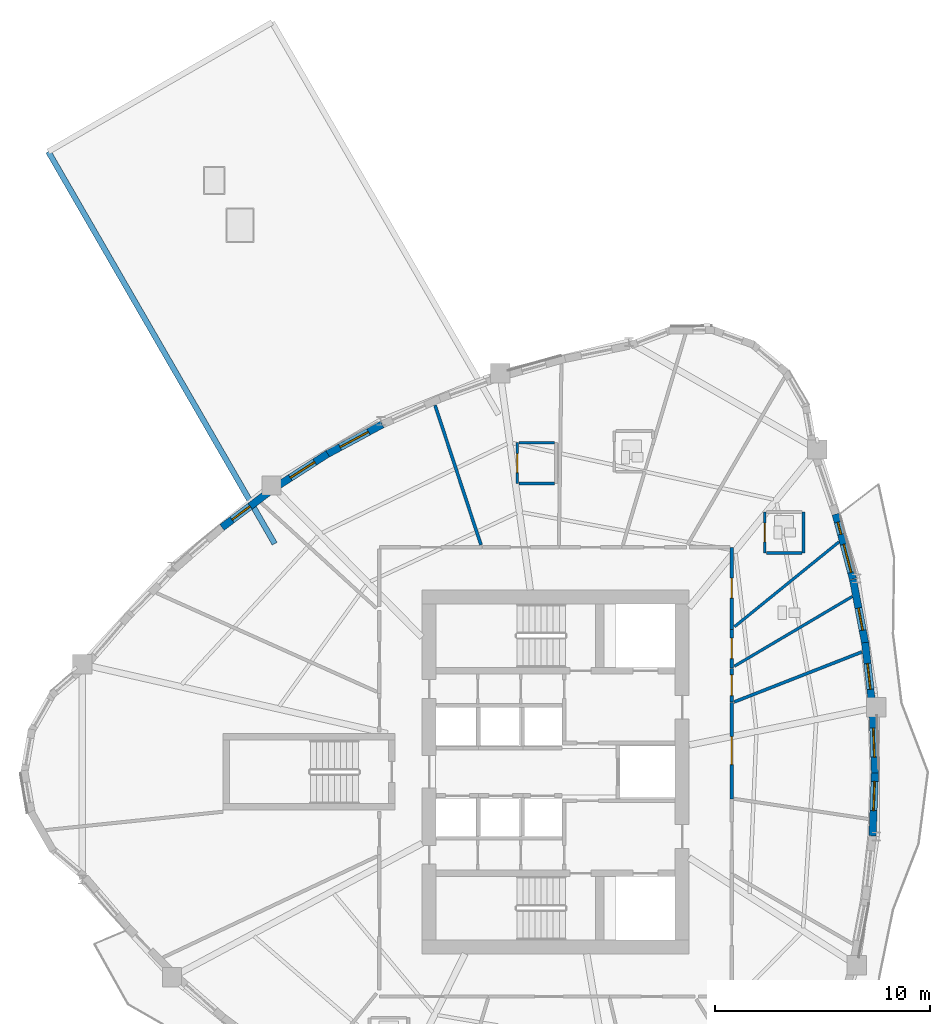
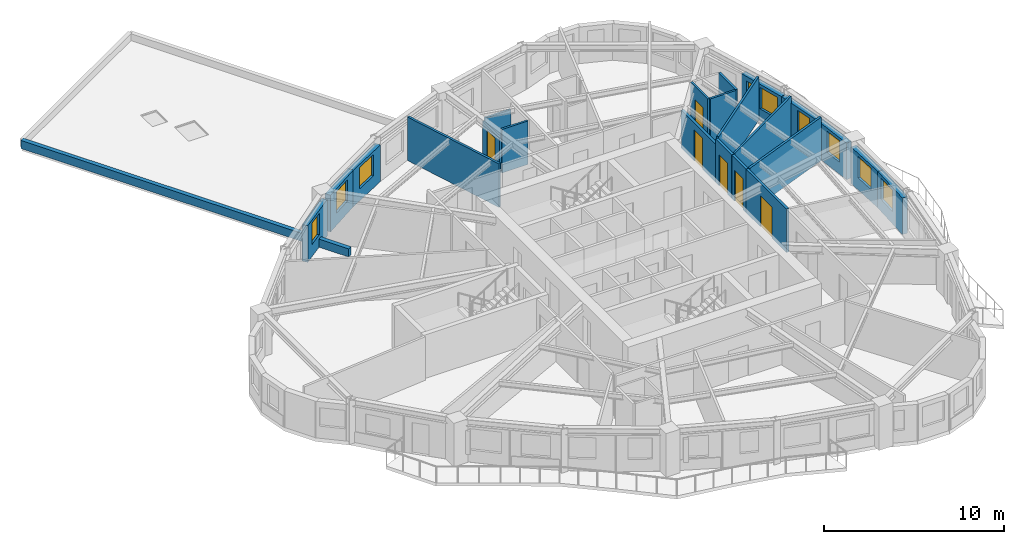
# One storey, part 7 of 13: 23 walls, 9 windows, 6 doors, 15 openings.
"""IFC4 building model written with IfcOpenShell, lengths in metres."""

from ifc_helpers import new_model, si_unit, direction, frame, frame_2d, origin, place, context, subcontext, project, spatial, rectangle, extrude, source, transform, mapped, material, layer, layer_set, type_object, element, fill, save


model = new_model("IFC4")

# Units and contexts
model_context = context("Model", 3, precision=1e-05, world=origin(), true_north=direction((0.0, 1.0)))
body_context = subcontext(model_context, "Body", "Model", "MODEL_VIEW")
ifc_project = project(units=[si_unit("LENGTHUNIT", "METRE"), si_unit("AREAUNIT", "SQUARE_METRE"), si_unit("VOLUMEUNIT", "CUBIC_METRE"), si_unit("PLANEANGLEUNIT", "RADIAN"), si_unit("MASSUNIT", "GRAM", prefix="KILO")], contexts=[model_context])

# Site, building, storey
site_placement = place(None, origin())
site = spatial("IfcSite", under=ifc_project, at=site_placement, CompositionType="ELEMENT")
building_placement = place(site_placement, origin())
building = spatial("IfcBuilding", under=site, at=building_placement, Name="Qafzar Sky-Pleat Residences", CompositionType="ELEMENT")
storey_placement = place(building_placement, frame((0.0, 0.0, 89.60009765625)))
storey = spatial("IfcBuildingStorey", under=building, at=storey_placement, Name="L26", CompositionType="ELEMENT", Elevation=89.60009765625)

# Wall, opening, door
ifc_material_1 = material(Name="Acoustic gypsum plasterboard partition", Category="gypsum")
ifc_layer_1 = layer(ifc_material_1, 0.159912109375)
ifc_layer_set_1 = layer_set([ifc_layer_1], Name="Acoustic gypsum plasterboard partition")
wall_type_1 = type_object("IfcWallType", Name="PART-COR-160", PredefinedType="PARTITIONING", material=ifc_layer_set_1)
wall_1_placement = place(storey_placement, frame((38.530029296875, 29.219970703125, 0.0), z_axis=(0.0, 0.0, 1.0), x_axis=(0.0, -1.0, 0.0)))
wall_1 = element("IfcWall", 1, at=wall_1_placement, inside=storey, type_object=wall_type_1, Name="L26 Partition Wall PART-L26-PW-006", PredefinedType="PARTITIONING", context=body_context, shape_type="SweptSolid", body=[
    extrude(rectangle(XDim=4.467041015625, YDim=0.159912109375, at=frame_2d((2.2333984375, 0.0))), origin(), (0.0, 0.0, 1.0), 2.949951171875),
])
opening_1_placement = place(wall_1_placement, frame((1.583984375, 0.0, 0.0)))
opening_1 = element("IfcOpeningElement", 2, at=opening_1_placement, cuts=wall_1, Name="Opening ID-05", PredefinedType="OPENING", context=body_context, shape_type="SweptSolid", body=[
    extrude(rectangle(XDim=1.300048828125, YDim=2.10009765625, at=frame_2d((0.64990234375, 1.050048828125))), frame((0.0, 0.08984375, 0.0), z_axis=(0.0, -1.0, 0.0), x_axis=(1.0, 0.0, 0.0)), (0.0, 0.0, 1.0), 0.179931640625),
])
ifc_material_2 = material(Name="Timber-faced fire door", Category="wood")
door_type_1 = type_object("IfcDoorType", Name="DR-LNG-1300", OperationType="DOUBLE_DOOR_SINGLE_SWING", PredefinedType="DOOR", material=ifc_material_2)
shared_shape_1 = source(origin(), body_context, "Body", "SweptSolid", [
    extrude(rectangle(XDim=1.300048828125, YDim=2.10009765625, at=frame_2d((0.64990234375, 1.050048828125))), frame((0.0, 0.02490234375, 0.0), z_axis=(0.0, -1.0, 0.0), x_axis=(1.0, 0.0, 0.0)), (0.0, 0.0, 1.0), 0.050048828125),
])
door_1_placement = place(opening_1_placement, origin())
door_1 = element("IfcDoor", 3, at=door_1_placement, inside=storey, type_object=door_type_1, Name="L26 Co-Living Lounge Door", OperationType="DOUBLE_DOOR_SINGLE_SWING", OverallHeight=2.10009765625, OverallWidth=1.300048828125, PredefinedType="DOOR", context=body_context, shape_type="MappedRepresentation", body=[
    mapped(shared_shape_1, transform((0.0, 0.0, 0.0), x_axis=(1.0, 0.0, 0.0), y_axis=(0.0, 1.0, 0.0), z_axis=(0.0, 0.0, 1.0), scale=1.0)),
])
fill(opening_1, door_1)

wall_2_placement = place(storey_placement, frame((38.530029296875, 36.429931640625, 0.0), z_axis=(0.0, 0.0, 1.0), x_axis=(0.0, -1.0, 0.0)))
wall_2 = element("IfcWall", 4, at=wall_2_placement, inside=storey, type_object=wall_type_1, Name="L26 Partition Wall PART-L26-PW-009", PredefinedType="PARTITIONING", context=body_context, shape_type="SweptSolid", body=[
    extrude(rectangle(XDim=3.809814453125, YDim=0.159912109375, at=frame_2d((1.90478515625, 0.0))), origin(), (0.0, 0.0, 1.0), 2.587890625),
])
opening_2_placement = place(wall_2_placement, frame((1.435546875, 0.0, 0.0)))
opening_2 = element("IfcOpeningElement", 5, at=opening_2_placement, cuts=wall_2, Name="Opening ID-04", PredefinedType="OPENING", context=body_context, shape_type="SweptSolid", body=[
    extrude(rectangle(XDim=0.919921875, YDim=2.10009765625, at=frame_2d((0.4599609375, 1.050048828125))), frame((0.0, 0.08984375, 0.0), z_axis=(0.0, -1.0, 0.0), x_axis=(1.0, 0.0, 0.0)), (0.0, 0.0, 1.0), 0.179931640625),
])
door_type_2 = type_object("IfcDoorType", Name="DR-BED-920", OperationType="NOTDEFINED", PredefinedType="DOOR", material=ifc_material_2)
shared_shape_2 = source(origin(), body_context, "Body", "SweptSolid", [
    extrude(rectangle(XDim=0.919921875, YDim=2.10009765625, at=frame_2d((0.4599609375, 1.050048828125))), frame((0.0, 0.02490234375, 0.0), z_axis=(0.0, -1.0, 0.0), x_axis=(1.0, 0.0, 0.0)), (0.0, 0.0, 1.0), 0.050048828125),
])
door_2_placement = place(opening_2_placement, origin())
door_2 = element("IfcDoor", 6, at=door_2_placement, inside=storey, type_object=door_type_2, Name="L26 Co-Living Bedroom 2 Door", OperationType="SINGLE_SWING_LEFT", OverallHeight=2.10009765625, OverallWidth=0.919921875, PredefinedType="DOOR", context=body_context, shape_type="MappedRepresentation", body=[
    mapped(shared_shape_2, transform((0.0, 0.0, 0.0), x_axis=(1.0, 0.0, 0.0), y_axis=(0.0, 1.0, 0.0), z_axis=(0.0, 0.0, 1.0), scale=1.0)),
])
fill(opening_2, door_2)

wall_3_placement = place(storey_placement, frame((38.530029296875, 32.60498046875, 0.0), z_axis=(0.0, 0.0, 1.0), x_axis=(0.0, -1.0, 0.0)))
wall_3 = element("IfcWall", 7, at=wall_3_placement, inside=storey, type_object=wall_type_1, Name="L26 Partition Wall PART-L26-PW-020", PredefinedType="PARTITIONING", context=body_context, shape_type="SweptSolid", body=[
    extrude(rectangle(XDim=1.785888671875, YDim=0.159912109375, at=frame_2d((0.89306640625, 0.0))), origin(), (0.0, 0.0, 1.0), 2.949951171875),
])
opening_3_placement = place(wall_3_placement, frame((0.392578125, 0.0, 0.0)))
opening_3 = element("IfcOpeningElement", 8, at=opening_3_placement, cuts=wall_3, Name="Opening ID-08", PredefinedType="OPENING", context=body_context, shape_type="SweptSolid", body=[
    extrude(rectangle(XDim=0.949951171875, YDim=2.10009765625, at=frame_2d((0.47509765625, 1.050048828125))), frame((0.0, 0.08984375, 0.0), z_axis=(0.0, -1.0, 0.0), x_axis=(1.0, 0.0, 0.0)), (0.0, 0.0, 1.0), 0.179931640625),
])
door_type_3 = type_object("IfcDoorType", Name="DR-AWC-950", OperationType="NOTDEFINED", PredefinedType="DOOR", material=ifc_material_2)
shared_shape_3 = source(origin(), body_context, "Body", "SweptSolid", [
    extrude(rectangle(XDim=0.949951171875, YDim=2.10009765625, at=frame_2d((0.47509765625, 1.050048828125))), frame((0.0, 0.02490234375, 0.0), z_axis=(0.0, -1.0, 0.0), x_axis=(1.0, 0.0, 0.0)), (0.0, 0.0, 1.0), 0.050048828125),
])
door_3_placement = place(opening_3_placement, origin())
door_3 = element("IfcDoor", 9, at=door_3_placement, inside=storey, type_object=door_type_3, Name="L26 Accessible Shared Washroom Door", OperationType="SINGLE_SWING_LEFT", OverallHeight=2.10009765625, OverallWidth=0.949951171875, PredefinedType="DOOR", context=body_context, shape_type="MappedRepresentation", body=[
    mapped(shared_shape_3, transform((0.0, 0.0, 0.0), x_axis=(1.0, 0.0, 0.0), y_axis=(0.0, 1.0, 0.0), z_axis=(0.0, 0.0, 1.0), scale=1.0)),
])
fill(opening_3, door_3)

wall_4_placement = place(storey_placement, frame((38.530029296875, 30.803955078125, 0.0), z_axis=(0.0, 0.0, 1.0), x_axis=(0.0, -1.0, 0.0)))
wall_4 = element("IfcWall", 10, at=wall_4_placement, inside=storey, type_object=wall_type_1, Name="L26 Partition Wall PART-L26-PW-021", PredefinedType="PARTITIONING", context=body_context, shape_type="SweptSolid", body=[
    extrude(rectangle(XDim=1.56884765625, YDim=0.159912109375, at=frame_2d((0.784423828125, 0.0))), origin(), (0.0, 0.0, 1.0), 2.949951171875),
])
opening_4_placement = place(wall_4_placement, frame((0.303955078125, 0.0, 0.0)))
opening_4 = element("IfcOpeningElement", 11, at=opening_4_placement, cuts=wall_4, Name="Opening ID-06", PredefinedType="OPENING", context=body_context, shape_type="SweptSolid", body=[
    extrude(rectangle(XDim=0.9599609375, YDim=2.10009765625, at=frame_2d((0.47998046875, 1.050048828125))), frame((0.0, 0.08984375, 0.0), z_axis=(0.0, -1.0, 0.0), x_axis=(1.0, 0.0, 0.0)), (0.0, 0.0, 1.0), 0.179931640625),
])
door_type_4 = type_object("IfcDoorType", Name="DR-STD-960", OperationType="NOTDEFINED", PredefinedType="DOOR", material=ifc_material_2)
shared_shape_4 = source(origin(), body_context, "Body", "SweptSolid", [
    extrude(rectangle(XDim=0.9599609375, YDim=2.10009765625, at=frame_2d((0.47998046875, 1.050048828125))), frame((0.0, 0.02490234375, 0.0), z_axis=(0.0, -1.0, 0.0), x_axis=(1.0, 0.0, 0.0)), (0.0, 0.0, 1.0), 0.050048828125),
])
door_4_placement = place(opening_4_placement, origin())
door_4 = element("IfcDoor", 12, at=door_4_placement, inside=storey, type_object=door_type_4, Name="L26 Scholar Study Room Door", OperationType="SINGLE_SWING_RIGHT", OverallHeight=2.10009765625, OverallWidth=0.9599609375, PredefinedType="DOOR", context=body_context, shape_type="MappedRepresentation", body=[
    mapped(shared_shape_4, transform((0.0, 0.0, 0.0), x_axis=(1.0, 0.0, 0.0), y_axis=(0.0, 1.0, 0.0), z_axis=(0.0, 0.0, 1.0), scale=1.0)),
])
fill(opening_4, door_4)

# Walls
ifc_layer_2 = layer(ifc_material_1, 0.14501953125)
ifc_layer_set_2 = layer_set([ifc_layer_2], Name="Acoustic gypsum plasterboard partition")
wall_type_2 = type_object("IfcWallType", Name="PART-UNIT-145", PredefinedType="PARTITIONING", material=ifc_layer_set_2)
wall_5_placement = place(storey_placement, frame((24.751953125, 43.027099609375, 0.0), z_axis=(0.0, 0.0, 1.0), x_axis=(0.312342290808, -0.949969627606, 0.0)))
element("IfcWall", 13, at=wall_5_placement, inside=storey, type_object=wall_type_2, Name="L26 Partition Wall PART-L26-PW-031", PredefinedType="PARTITIONING", context=body_context, shape_type="SweptSolid", body=[
    extrude(rectangle(XDim=6.828369140625, YDim=0.14501953125, at=frame_2d((3.4140625, 0.0))), origin(), (0.0, 0.0, 1.0), 2.949951171875),
])
wall_6_placement = place(storey_placement, frame((38.643798828125, 29.24853515625, 0.0), z_axis=(0.0, 0.0, 1.0), x_axis=(0.931159602012, 0.364611842349, 0.0)))
element("IfcWall", 14, at=wall_6_placement, inside=storey, type_object=wall_type_2, Name="L26 Partition Wall PART-L26-PW-032", PredefinedType="PARTITIONING", context=body_context, shape_type="SweptSolid", body=[
    extrude(rectangle(XDim=6.367919921875, YDim=0.14501953125, at=frame_2d((3.18408203125, 0.0))), origin(), (0.0, 0.0, 1.0), 2.949951171875),
])

# Wall, opening, door
ifc_material_3 = material(Name="Moisture-resistant gypsum partition", Category="gypsum")
ifc_layer_3 = layer(ifc_material_3, 0.1298828125)
ifc_layer_set_3 = layer_set([ifc_layer_3], Name="Moisture-resistant gypsum partition")
wall_type_3 = type_object("IfcWallType", Name="PART-WET-130", PredefinedType="PARTITIONING", material=ifc_layer_set_3)
wall_7_placement = place(storey_placement, frame((40.05810546875, 38.06689453125, 0.0), z_axis=(0.0, 0.0, 1.0), x_axis=(0.0, -1.0, 0.0)))
wall_7 = element("IfcWall", 15, at=wall_7_placement, inside=storey, type_object=wall_type_3, Name="L26 Partition Wall PART-L26-PW-016", PredefinedType="PARTITIONING", context=body_context, shape_type="SweptSolid", body=[
    extrude(rectangle(XDim=1.89990234375, YDim=0.1298828125, at=frame_2d((0.949951171875, 0.0))), origin(), (0.0, 0.0, 1.0), 2.949951171875),
])
opening_5_placement = place(wall_7_placement, frame((0.510009765625, 0.0, 0.0)))
opening_5 = element("IfcOpeningElement", 16, at=opening_5_placement, cuts=wall_7, Name="Opening ID-07", PredefinedType="OPENING", context=body_context, shape_type="SweptSolid", body=[
    extrude(rectangle(XDim=0.8798828125, YDim=2.050048828125, at=frame_2d((0.43994140625, 1.02490234375))), frame((0.0, 0.074951171875, 0.0), z_axis=(0.0, -1.0, 0.0), x_axis=(1.0, 0.0, 0.0)), (0.0, 0.0, 1.0), 0.14990234375),
])
door_type_5 = type_object("IfcDoorType", Name="DR-WET-880", OperationType="NOTDEFINED", PredefinedType="DOOR", material=ifc_material_2)
shared_shape_5 = source(origin(), body_context, "Body", "SweptSolid", [
    extrude(rectangle(XDim=0.8798828125, YDim=2.050048828125, at=frame_2d((0.43994140625, 1.02490234375))), frame((0.0, 0.02490234375, 0.0), z_axis=(0.0, -1.0, 0.0), x_axis=(1.0, 0.0, 0.0)), (0.0, 0.0, 1.0), 0.050048828125),
])
door_5_placement = place(opening_5_placement, origin())
door_5 = element("IfcDoor", 17, at=door_5_placement, inside=storey, type_object=door_type_5, Name="L26 En-suite Bathroom 2 Door", OperationType="SINGLE_SWING_RIGHT", OverallHeight=2.050048828125, OverallWidth=0.8798828125, PredefinedType="DOOR", context=body_context, shape_type="MappedRepresentation", body=[
    mapped(shared_shape_5, transform((0.0, 0.0, 0.0), x_axis=(1.0, 0.0, 0.0), y_axis=(0.0, 1.0, 0.0), z_axis=(0.0, 0.0, 1.0), scale=1.0)),
])
fill(opening_5, door_5)

wall_8_placement = place(storey_placement, frame((28.570068359375, 41.285888671875, 0.0), z_axis=(0.0, 0.0, 1.0), x_axis=(0.0, -1.0, 0.0)))
wall_8 = element("IfcWall", 18, at=wall_8_placement, inside=storey, type_object=wall_type_3, Name="L26 Partition Wall PART-L26-PW-018", PredefinedType="PARTITIONING", context=body_context, shape_type="SweptSolid", body=[
    extrude(rectangle(XDim=1.89990234375, YDim=0.1298828125, at=frame_2d((0.949951171875, 0.0))), origin(), (0.0, 0.0, 1.0), 2.367919921875),
])
opening_6_placement = place(wall_8_placement, frame((0.510009765625, 0.0, 0.0)))
opening_6 = element("IfcOpeningElement", 19, at=opening_6_placement, cuts=wall_8, Name="Opening ID-07", PredefinedType="OPENING", context=body_context, shape_type="SweptSolid", body=[
    extrude(rectangle(XDim=0.8798828125, YDim=2.050048828125, at=frame_2d((0.43994140625, 1.02490234375))), frame((0.0, 0.074951171875, 0.0), z_axis=(0.0, -1.0, 0.0), x_axis=(1.0, 0.0, 0.0)), (0.0, 0.0, 1.0), 0.14990234375),
])
door_6_placement = place(opening_6_placement, origin())
door_6 = element("IfcDoor", 20, at=door_6_placement, inside=storey, type_object=door_type_5, Name="L26 En-suite Bathroom 4 Door", OperationType="SINGLE_SWING_RIGHT", OverallHeight=2.050048828125, OverallWidth=0.8798828125, PredefinedType="DOOR", context=body_context, shape_type="MappedRepresentation", body=[
    mapped(shared_shape_5, transform((0.0, 0.0, 0.0), x_axis=(1.0, 0.0, 0.0), y_axis=(0.0, 1.0, 0.0), z_axis=(0.0, 0.0, 1.0), scale=1.0)),
])
fill(opening_6, door_6)

# Walls
wall_9_placement = place(storey_placement, frame((38.64990234375, 30.906982421875, 0.0), z_axis=(0.0, 0.0, 1.0), x_axis=(0.860799697267, 0.508943888052, 0.0)))
element("IfcWall", 21, at=wall_9_placement, inside=storey, type_object=wall_type_3, Name="L26 Partition Wall PART-L26-PW-033", PredefinedType="PARTITIONING", context=body_context, shape_type="SweptSolid", body=[
    extrude(rectangle(XDim=6.36279296875, YDim=0.1298828125, at=frame_2d((3.181396484375, 0.0))), origin(), (0.0, 0.0, 1.0), 2.949951171875),
])
wall_10_placement = place(storey_placement, frame((38.6572265625, 32.7421875, 0.0), z_axis=(0.0, 0.0, 1.0), x_axis=(0.776413778101, 0.630223488276, 0.0)))
element("IfcWall", 22, at=wall_10_placement, inside=storey, type_object=wall_type_3, Name="L26 Partition Wall PART-L26-PW-036", PredefinedType="PARTITIONING", context=body_context, shape_type="SweptSolid", body=[
    extrude(rectangle(XDim=6.2509765625, YDim=0.1298828125, at=frame_2d((3.12548828125, 0.0))), origin(), (0.0, 0.0, 1.0), 2.949951171875),
])
wall_11_placement = place(storey_placement, frame((41.85791015625, 36.1669921875, 0.0), z_axis=(0.0, 0.0, 1.0), x_axis=(0.0, 1.0, 0.0)))
element("IfcWall", 23, at=wall_11_placement, inside=storey, type_object=wall_type_3, Name="L26 Partition Wall PART-L26-PW-043", PredefinedType="PARTITIONING", context=body_context, shape_type="SweptSolid", body=[
    extrude(rectangle(XDim=1.89990234375, YDim=0.1298828125, at=frame_2d((0.949951171875, 0.0))), origin(), (0.0, 0.0, 1.0), 2.949951171875),
])
wall_12_placement = place(storey_placement, frame((28.64306640625, 41.285888671875, 0.0), z_axis=(0.0, 0.0, 1.0), x_axis=(1.0, 0.0, 0.0)))
element("IfcWall", 24, at=wall_12_placement, inside=storey, type_object=wall_type_3, Name="L26 Partition Wall PART-L26-PW-048", PredefinedType="PARTITIONING", context=body_context, shape_type="SweptSolid", body=[
    extrude(rectangle(XDim=1.654052734375, YDim=0.1298828125, at=frame_2d((0.8271484375, 0.0))), origin(), (0.0, 0.0, 1.0), 2.557861328125),
])
wall_13_placement = place(storey_placement, frame((28.64306640625, 39.385986328125, 0.0), z_axis=(0.0, 0.0, 1.0), x_axis=(1.0, 0.0, 0.0)))
element("IfcWall", 25, at=wall_13_placement, inside=storey, type_object=wall_type_3, Name="L26 Partition Wall PART-L26-PW-049", PredefinedType="PARTITIONING", context=body_context, shape_type="SweptSolid", body=[
    extrude(rectangle(XDim=1.654052734375, YDim=0.1298828125, at=frame_2d((0.8271484375, 0.0))), origin(), (0.0, 0.0, 1.0), 2.949951171875),
])
wall_14_placement = place(storey_placement, frame((40.131103515625, 36.1669921875, 0.0), z_axis=(0.0, 0.0, 1.0), x_axis=(1.0, 0.0, 0.0)))
element("IfcWall", 26, at=wall_14_placement, inside=storey, type_object=wall_type_3, Name="L26 Partition Wall PART-L26-PW-051", PredefinedType="PARTITIONING", context=body_context, shape_type="SweptSolid", body=[
    extrude(rectangle(XDim=1.65380859375, YDim=0.1298828125, at=frame_2d((0.826904296875, 0.0))), origin(), (0.0, 0.0, 1.0), 2.949951171875),
])
ifc_material_4 = material(Name="Precast concrete C40/50 with honed Riyadh limestone", Category="concrete")
ifc_layer_4 = layer(ifc_material_4, 0.260009765625)
ifc_layer_set_4 = layer_set([ifc_layer_4], Name="Precast concrete C40/50 with honed Riyadh limestone")
wall_type_4 = type_object("IfcWallType", Name="WALL-EXT-260", PredefinedType="PARAPET", material=ifc_layer_set_4)
wall_15_placement = place(storey_placement, frame((6.792236328125, 54.802978515625, 0.0), z_axis=(0.0, 0.0, 1.0), x_axis=(0.500002250407, -0.866024104508, 0.0)))
element("IfcWall", 27, at=wall_15_placement, inside=storey, type_object=wall_type_4, Name="L26 SB-2 Roof Parapet 3", PredefinedType="PARAPET", context=body_context, shape_type="SweptSolid", body=[
    extrude(rectangle(XDim=21.02294921875, YDim=0.260009765625, at=frame_2d((10.511474609375, 0.0))), origin(), (0.0, 0.0, 1.0), 0.5498046875),
])

# Wall, opening, window
ifc_layer_5 = layer(ifc_material_4, 0.340087890625)
ifc_layer_set_5 = layer_set([ifc_layer_5], Name="Precast concrete C40/50 with honed Riyadh limestone")
wall_type_5 = type_object("IfcWallType", Name="WALL-EXT-340", PredefinedType="SOLIDWALL", material=ifc_layer_set_5)
wall_16_placement = place(storey_placement, frame((45.066650390625, 23.0322265625, 0.0), z_axis=(0.0, 0.0, 1.0), x_axis=(0.037985210196, 0.999278301479, 0.0)))
wall_16 = element("IfcWall", 28, at=wall_16_placement, inside=storey, type_object=wall_type_5, Name="L26 Limestone Facade Wall 27", PredefinedType="SOLIDWALL", context=body_context, shape_type="SweptSolid", body=[
    extrude(rectangle(XDim=3.014404296875, YDim=0.340087890625, at=frame_2d((1.50732421875, 0.0))), origin(), (0.0, 0.0, 1.0), 2.47998046875),
])
opening_7_placement = place(wall_16_placement, frame((1.1748046875, 0.0, 0.820068359375)))
opening_7 = element("IfcOpeningElement", 29, at=opening_7_placement, cuts=wall_16, Name="Opening WN-04", PredefinedType="OPENING", context=body_context, shape_type="SweptSolid", body=[
    extrude(rectangle(XDim=1.35009765625, YDim=1.449951171875, at=frame_2d((0.675048828125, 0.72509765625))), frame((0.0, 0.18017578125, 0.0), z_axis=(0.0, -1.0, 0.0), x_axis=(1.0, 0.0, 0.0)), (0.0, 0.0, 1.0), 0.360107421875),
])
ifc_material_5 = material(Name="Solar-control low-E glass in bronze aluminium frame", Category="glass")
window_type_1 = type_object("IfcWindowType", Name="WIN-04", PartitioningType="SINGLE_PANEL", PredefinedType="WINDOW", material=ifc_material_5)
shared_shape_6 = source(origin(), body_context, "Body", "SweptSolid", [
    extrude(rectangle(XDim=1.35009765625, YDim=1.449951171875, at=frame_2d((0.675048828125, 0.72509765625))), frame((0.0, 0.030029296875, 0.0), z_axis=(0.0, -1.0, 0.0), x_axis=(1.0, 0.0, 0.0)), (0.0, 0.0, 1.0), 0.06005859375),
])
window_1_placement = place(opening_7_placement, origin())
window_1 = element("IfcWindow", 30, at=window_1_placement, inside=storey, type_object=window_type_1, Name="L26 Punched Facade Window 27-2", OverallHeight=1.449951171875, OverallWidth=1.35009765625, PartitioningType="SINGLE_PANEL", PredefinedType="WINDOW", context=body_context, shape_type="MappedRepresentation", body=[
    mapped(shared_shape_6, transform((0.0, 0.0, 0.0), x_axis=(1.0, 0.0, 0.0), y_axis=(0.0, 1.0, 0.0), z_axis=(0.0, 0.0, 1.0), scale=1.0)),
])
fill(opening_7, window_1)

wall_17_placement = place(storey_placement, frame((45.18115234375, 25.95556640625, 0.0), z_axis=(0.0, 0.0, 1.0), x_axis=(-0.037958336355, 0.999279322663, 0.0)))
wall_17 = element("IfcWall", 31, at=wall_17_placement, inside=storey, type_object=wall_type_5, Name="L26 Limestone Facade Wall 28", PredefinedType="SOLIDWALL", context=body_context, shape_type="SweptSolid", body=[
    extrude(rectangle(XDim=2.80419921875, YDim=0.340087890625, at=frame_2d((1.402099609375, 0.0))), origin(), (0.0, 0.0, 1.0), 2.47998046875),
])
opening_8_placement = place(wall_17_placement, frame((0.732177734375, 0.0, 0.820068359375)))
opening_8 = element("IfcOpeningElement", 32, at=opening_8_placement, cuts=wall_17, Name="Opening WN-04", PredefinedType="OPENING", context=body_context, shape_type="SweptSolid", body=[
    extrude(rectangle(XDim=1.35009765625, YDim=1.449951171875, at=frame_2d((0.675048828125, 0.72509765625))), frame((0.0, 0.18017578125, 0.0), z_axis=(0.0, -1.0, 0.0), x_axis=(1.0, 0.0, 0.0)), (0.0, 0.0, 1.0), 0.360107421875),
])
window_2_placement = place(opening_8_placement, origin())
window_2 = element("IfcWindow", 33, at=window_2_placement, inside=storey, type_object=window_type_1, Name="L26 Punched Facade Window 28", OverallHeight=1.449951171875, OverallWidth=1.35009765625, PartitioningType="SINGLE_PANEL", PredefinedType="WINDOW", context=body_context, shape_type="MappedRepresentation", body=[
    mapped(shared_shape_6, transform((0.0, 0.0, 0.0), x_axis=(1.0, 0.0, 0.0), y_axis=(0.0, 1.0, 0.0), z_axis=(0.0, 0.0, 1.0), scale=1.0)),
])
fill(opening_8, window_2)

wall_18_placement = place(storey_placement, frame((45.040771484375, 29.20361328125, 0.0), z_axis=(0.0, 0.0, 1.0), x_axis=(-0.113261075266, 0.993565261485, 0.0)))
wall_18 = element("IfcWall", 34, at=wall_18_placement, inside=storey, type_object=wall_type_5, Name="L26 Limestone Facade Wall 29", PredefinedType="SOLIDWALL", context=body_context, shape_type="SweptSolid", body=[
    extrude(rectangle(XDim=2.821533203125, YDim=0.340087890625, at=frame_2d((1.41064453125, 0.0))), origin(), (0.0, 0.0, 1.0), 2.47998046875),
])
opening_9_placement = place(wall_18_placement, frame((0.64208984375, 0.0, 0.820068359375)))
opening_9 = element("IfcOpeningElement", 35, at=opening_9_placement, cuts=wall_18, Name="Opening WN-05", PredefinedType="OPENING", context=body_context, shape_type="SweptSolid", body=[
    extrude(rectangle(XDim=1.199951171875, YDim=1.449951171875, at=frame_2d((0.60009765625, 0.72509765625))), frame((0.0, 0.18017578125, 0.0), z_axis=(0.0, -1.0, 0.0), x_axis=(1.0, 0.0, 0.0)), (0.0, 0.0, 1.0), 0.360107421875),
])
window_type_2 = type_object("IfcWindowType", Name="WIN-05", PartitioningType="SINGLE_PANEL", PredefinedType="WINDOW", material=ifc_material_5)
shared_shape_7 = source(origin(), body_context, "Body", "SweptSolid", [
    extrude(rectangle(XDim=1.199951171875, YDim=1.449951171875, at=frame_2d((0.60009765625, 0.72509765625))), frame((0.0, 0.030029296875, 0.0), z_axis=(0.0, -1.0, 0.0), x_axis=(1.0, 0.0, 0.0)), (0.0, 0.0, 1.0), 0.06005859375),
])
window_3_placement = place(opening_9_placement, origin())
window_3 = element("IfcWindow", 36, at=window_3_placement, inside=storey, type_object=window_type_2, Name="L26 Punched Facade Window 29", OverallHeight=1.449951171875, OverallWidth=1.199951171875, PartitioningType="SINGLE_PANEL", PredefinedType="WINDOW", context=body_context, shape_type="MappedRepresentation", body=[
    mapped(shared_shape_7, transform((0.0, 0.0, 0.0), x_axis=(1.0, 0.0, 0.0), y_axis=(0.0, 1.0, 0.0), z_axis=(0.0, 0.0, 1.0), scale=1.0)),
])
fill(opening_9, window_3)

wall_19_placement = place(storey_placement, frame((44.734619140625, 31.91943359375, 0.0), z_axis=(0.0, 0.0, 1.0), x_axis=(-0.186735196273, 0.982410284185, 0.0)))
wall_19 = element("IfcWall", 37, at=wall_19_placement, inside=storey, type_object=wall_type_5, Name="L26 Limestone Facade Wall 30", PredefinedType="SOLIDWALL", context=body_context, shape_type="SweptSolid", body=[
    extrude(rectangle(XDim=3.06591796875, YDim=0.340087890625, at=frame_2d((1.532958984375, 0.0))), origin(), (0.0, 0.0, 1.0), 2.47998046875),
])
opening_10_placement = place(wall_19_placement, frame((0.668701171875, 0.0, 0.820068359375)))
opening_10 = element("IfcOpeningElement", 38, at=opening_10_placement, cuts=wall_19, Name="Opening WN-06", PredefinedType="OPENING", context=body_context, shape_type="SweptSolid", body=[
    extrude(rectangle(XDim=1.050048828125, YDim=1.449951171875, at=frame_2d((0.52490234375, 0.72509765625))), frame((0.0, 0.18017578125, 0.0), z_axis=(0.0, -1.0, 0.0), x_axis=(1.0, 0.0, 0.0)), (0.0, 0.0, 1.0), 0.360107421875),
])
window_type_3 = type_object("IfcWindowType", Name="WIN-06", PartitioningType="SINGLE_PANEL", PredefinedType="WINDOW", material=ifc_material_5)
shared_shape_8 = source(origin(), body_context, "Body", "SweptSolid", [
    extrude(rectangle(XDim=1.050048828125, YDim=1.449951171875, at=frame_2d((0.52490234375, 0.72509765625))), frame((0.0, 0.030029296875, 0.0), z_axis=(0.0, -1.0, 0.0), x_axis=(1.0, 0.0, 0.0)), (0.0, 0.0, 1.0), 0.06005859375),
])
window_4_placement = place(opening_10_placement, origin())
window_4 = element("IfcWindow", 39, at=window_4_placement, inside=storey, type_object=window_type_3, Name="L26 Punched Facade Window 30", OverallHeight=1.449951171875, OverallWidth=1.050048828125, PartitioningType="SINGLE_PANEL", PredefinedType="WINDOW", context=body_context, shape_type="MappedRepresentation", body=[
    mapped(shared_shape_8, transform((0.0, 0.0, 0.0), x_axis=(1.0, 0.0, 0.0), y_axis=(0.0, 1.0, 0.0), z_axis=(0.0, 0.0, 1.0), scale=1.0)),
])
fill(opening_10, window_4)

# Wall, openings, windows
wall_20_placement = place(storey_placement, frame((44.156005859375, 34.958251953125, 0.0), z_axis=(0.0, 0.0, 1.0), x_axis=(-0.257033600382, 0.966402467026, 0.0)))
wall_20 = element("IfcWall", 40, at=wall_20_placement, inside=storey, type_object=wall_type_5, Name="L26 Limestone Facade Wall 31", PredefinedType="SOLIDWALL", context=body_context, shape_type="SweptSolid", body=[
    extrude(rectangle(XDim=3.116455078125, YDim=0.340087890625, at=frame_2d((1.55810546875, 0.0))), origin(), (0.0, 0.0, 1.0), 2.47998046875),
])
opening_11_placement = place(wall_20_placement, frame((0.315185546875, 0.0, 0.820068359375)))
opening_11 = element("IfcOpeningElement", 41, at=opening_11_placement, cuts=wall_20, Name="Opening WN-04", PredefinedType="OPENING", context=body_context, shape_type="SweptSolid", body=[
    extrude(rectangle(XDim=1.35009765625, YDim=1.449951171875, at=frame_2d((0.675048828125, 0.72509765625))), frame((0.0, 0.18017578125, 0.0), z_axis=(0.0, -1.0, 0.0), x_axis=(1.0, 0.0, 0.0)), (0.0, 0.0, 1.0), 0.360107421875),
])
opening_12_placement = place(wall_20_placement, frame((2.1484375, 0.0, 0.820068359375)))
opening_12 = element("IfcOpeningElement", 42, at=opening_12_placement, cuts=wall_20, Name="Opening WN-17", PredefinedType="OPENING", context=body_context, shape_type="SweptSolid", body=[
    extrude(rectangle(XDim=0.580078125, YDim=1.35009765625, at=frame_2d((0.2900390625, 0.675048828125))), frame((0.0, 0.18017578125, 0.0), z_axis=(0.0, -1.0, 0.0), x_axis=(1.0, 0.0, 0.0)), (0.0, 0.0, 1.0), 0.360107421875),
])
window_type_4 = type_object("IfcWindowType", Name="WIN-17", PartitioningType="SINGLE_PANEL", PredefinedType="WINDOW", material=ifc_material_5)
shared_shape_9 = source(origin(), body_context, "Body", "SweptSolid", [
    extrude(rectangle(XDim=0.580078125, YDim=1.35009765625, at=frame_2d((0.2900390625, 0.675048828125))), frame((0.0, 0.030029296875, 0.0), z_axis=(0.0, -1.0, 0.0), x_axis=(1.0, 0.0, 0.0)), (0.0, 0.0, 1.0), 0.06005859375),
])
window_5_placement = place(opening_12_placement, origin())
window_5 = element("IfcWindow", 43, at=window_5_placement, inside=storey, type_object=window_type_4, Name="L26 Punched Facade Window 31-2", OverallHeight=1.35009765625, OverallWidth=0.580078125, PartitioningType="SINGLE_PANEL", PredefinedType="WINDOW", context=body_context, shape_type="MappedRepresentation", body=[
    mapped(shared_shape_9, transform((0.0, 0.0, 0.0), x_axis=(1.0, 0.0, 0.0), y_axis=(0.0, 1.0, 0.0), z_axis=(0.0, 0.0, 1.0), scale=1.0)),
])
fill(opening_12, window_5)
window_6_placement = place(opening_11_placement, origin())
window_6 = element("IfcWindow", 44, at=window_6_placement, inside=storey, type_object=window_type_1, Name="L26 Punched Facade Window 31", OverallHeight=1.449951171875, OverallWidth=1.35009765625, PartitioningType="SINGLE_PANEL", PredefinedType="WINDOW", context=body_context, shape_type="MappedRepresentation", body=[
    mapped(shared_shape_6, transform((0.0, 0.0, 0.0), x_axis=(1.0, 0.0, 0.0), y_axis=(0.0, 1.0, 0.0), z_axis=(0.0, 0.0, 1.0), scale=1.0)),
])
fill(opening_11, window_6)

# Wall, opening, window
wall_21_placement = place(storey_placement, frame((22.29931640625, 42.135986328125, 0.0), z_axis=(0.0, 0.0, 1.0), x_axis=(-0.880093106551, -0.474801141323, 0.0)))
wall_21 = element("IfcWall", 45, at=wall_21_placement, inside=storey, type_object=wall_type_5, Name="L26 Limestone Facade Wall 43", PredefinedType="SOLIDWALL", context=body_context, shape_type="SweptSolid", body=[
    extrude(rectangle(XDim=2.968017578125, YDim=0.340087890625, at=frame_2d((1.48388671875, 0.0))), origin(), (0.0, 0.0, 1.0), 2.47998046875),
])
opening_13_placement = place(wall_21_placement, frame((0.72412109375, 0.0, 0.820068359375)))
opening_13 = element("IfcOpeningElement", 46, at=opening_13_placement, cuts=wall_21, Name="Opening WN-03", PredefinedType="OPENING", context=body_context, shape_type="SweptSolid", body=[
    extrude(rectangle(XDim=1.5, YDim=1.449951171875, at=frame_2d((0.75, 0.72509765625))), frame((0.0, 0.18017578125, 0.0), z_axis=(0.0, -1.0, 0.0), x_axis=(1.0, 0.0, 0.0)), (0.0, 0.0, 1.0), 0.360107421875),
])
window_type_5 = type_object("IfcWindowType", Name="WIN-03", PartitioningType="DOUBLE_PANEL_VERTICAL", PredefinedType="WINDOW", material=ifc_material_5)
shared_shape_10 = source(origin(), body_context, "Body", "SweptSolid", [
    extrude(rectangle(XDim=1.5, YDim=1.449951171875, at=frame_2d((0.75, 0.72509765625))), frame((0.0, 0.030029296875, 0.0), z_axis=(0.0, -1.0, 0.0), x_axis=(1.0, 0.0, 0.0)), (0.0, 0.0, 1.0), 0.06005859375),
])
window_7_placement = place(opening_13_placement, origin())
window_7 = element("IfcWindow", 47, at=window_7_placement, inside=storey, type_object=window_type_5, Name="L26 Punched Facade Window 43", OverallHeight=1.449951171875, OverallWidth=1.5, PartitioningType="SINGLE_PANEL", PredefinedType="WINDOW", context=body_context, shape_type="MappedRepresentation", body=[
    mapped(shared_shape_10, transform((0.0, 0.0, 0.0), x_axis=(1.0, 0.0, 0.0), y_axis=(0.0, 1.0, 0.0), z_axis=(0.0, 0.0, 1.0), scale=1.0)),
])
fill(opening_13, window_7)

wall_22_placement = place(storey_placement, frame((19.763671875, 40.77197265625, 0.0), z_axis=(0.0, 0.0, 1.0), x_axis=(-0.841500460675, -0.54025639717, 0.0)))
wall_22 = element("IfcWall", 48, at=wall_22_placement, inside=storey, type_object=wall_type_5, Name="L26 Limestone Facade Wall 44", PredefinedType="SOLIDWALL", context=body_context, shape_type="SweptSolid", body=[
    extrude(rectangle(XDim=2.7578125, YDim=0.340087890625, at=frame_2d((1.37890625, 0.0))), origin(), (0.0, 0.0, 1.0), 2.47998046875),
])
opening_14_placement = place(wall_22_placement, frame((0.708984375, 0.0, 0.820068359375)))
opening_14 = element("IfcOpeningElement", 49, at=opening_14_placement, cuts=wall_22, Name="Opening WN-04", PredefinedType="OPENING", context=body_context, shape_type="SweptSolid", body=[
    extrude(rectangle(XDim=1.35009765625, YDim=1.449951171875, at=frame_2d((0.675048828125, 0.72509765625))), frame((0.0, 0.18017578125, 0.0), z_axis=(0.0, -1.0, 0.0), x_axis=(1.0, 0.0, 0.0)), (0.0, 0.0, 1.0), 0.360107421875),
])
window_8_placement = place(opening_14_placement, origin())
window_8 = element("IfcWindow", 50, at=window_8_placement, inside=storey, type_object=window_type_1, Name="L26 Punched Facade Window 44", OverallHeight=1.449951171875, OverallWidth=1.35009765625, PartitioningType="SINGLE_PANEL", PredefinedType="WINDOW", context=body_context, shape_type="MappedRepresentation", body=[
    mapped(shared_shape_6, transform((0.0, 0.0, 0.0), x_axis=(1.0, 0.0, 0.0), y_axis=(0.0, 1.0, 0.0), z_axis=(0.0, 0.0, 1.0), scale=1.0)),
])
fill(opening_14, window_8)

wall_23_placement = place(storey_placement, frame((17.076171875, 39.026611328125, 0.0), z_axis=(0.0, 0.0, 1.0), x_axis=(-0.798403009583, -0.602123437751, 0.0)))
wall_23 = element("IfcWall", 51, at=wall_23_placement, inside=storey, type_object=wall_type_5, Name="L26 Limestone Facade Wall 45", PredefinedType="SOLIDWALL", context=body_context, shape_type="SweptSolid", body=[
    extrude(rectangle(XDim=2.77490234375, YDim=0.340087890625, at=frame_2d((1.387451171875, 0.0))), origin(), (0.0, 0.0, 1.0), 2.47998046875),
])
opening_15_placement = place(wall_23_placement, frame((1.1435546875, 0.0, 0.820068359375)))
opening_15 = element("IfcOpeningElement", 52, at=opening_15_placement, cuts=wall_23, Name="Opening WN-06", PredefinedType="OPENING", context=body_context, shape_type="SweptSolid", body=[
    extrude(rectangle(XDim=1.050048828125, YDim=1.449951171875, at=frame_2d((0.52490234375, 0.72509765625))), frame((0.0, 0.18017578125, 0.0), z_axis=(0.0, -1.0, 0.0), x_axis=(1.0, 0.0, 0.0)), (0.0, 0.0, 1.0), 0.360107421875),
])
window_9_placement = place(opening_15_placement, origin())
window_9 = element("IfcWindow", 53, at=window_9_placement, inside=storey, type_object=window_type_3, Name="L26 Punched Facade Window 45-2", OverallHeight=1.449951171875, OverallWidth=1.050048828125, PartitioningType="SINGLE_PANEL", PredefinedType="WINDOW", context=body_context, shape_type="MappedRepresentation", body=[
    mapped(shared_shape_8, transform((0.0, 0.0, 0.0), x_axis=(1.0, 0.0, 0.0), y_axis=(0.0, 1.0, 0.0), z_axis=(0.0, 0.0, 1.0), scale=1.0)),
])
fill(opening_15, window_9)

save(model, "model.ifc")
